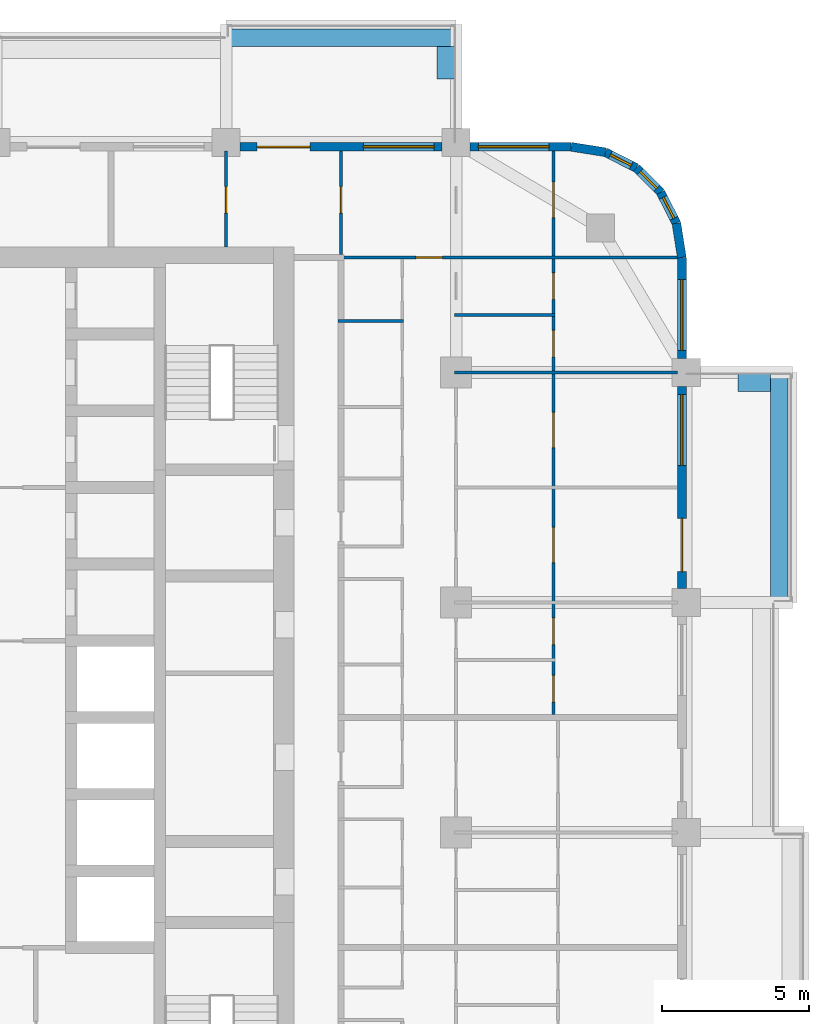
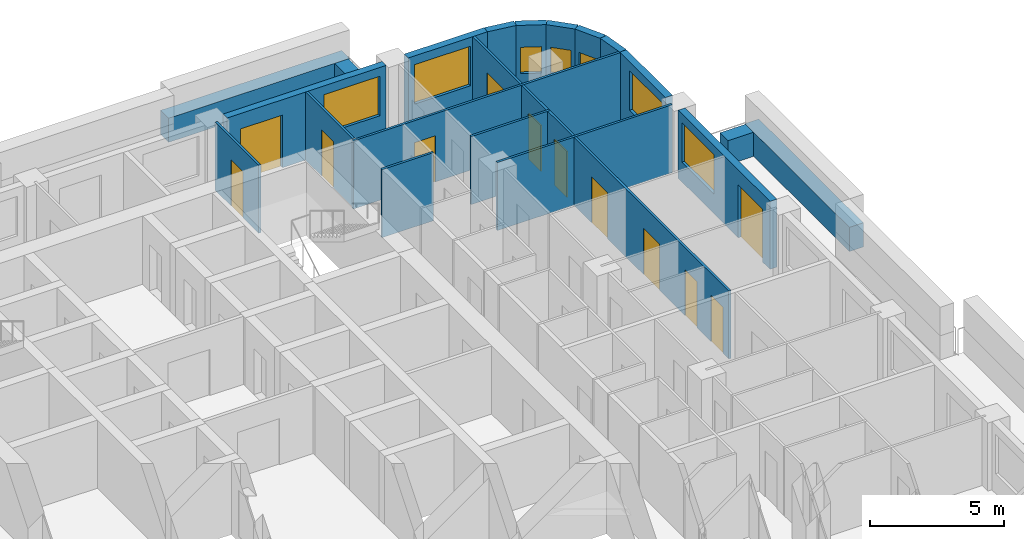
# One storey, part 13 of 17: 20 walls, 12 doors, 7 windows, 19 openings.
"""IFC4 building model written with IfcOpenShell, lengths in metres."""

from ifc_helpers import new_model, si_unit, direction, frame, frame_2d, origin, place, context, subcontext, project, spatial, rectangle, extrude, material, layer, layer_set, type_object, element, fill, save


model = new_model("IFC4")

# Units and contexts
model_context = context("Model", 3, precision=1e-05, world=origin(), true_north=direction((0.0, 1.0)))
body_context = subcontext(model_context, "Body", "Model", "MODEL_VIEW")
ifc_project = project(units=[si_unit("LENGTHUNIT", "METRE"), si_unit("AREAUNIT", "SQUARE_METRE"), si_unit("VOLUMEUNIT", "CUBIC_METRE"), si_unit("PLANEANGLEUNIT", "RADIAN"), si_unit("MASSUNIT", "GRAM", prefix="KILO")], contexts=[model_context])

# Site, building, storey
site_placement = place(None, origin())
site = spatial("IfcSite", under=ifc_project, at=site_placement, CompositionType="ELEMENT")
building_placement = place(site_placement, origin())
building = spatial("IfcBuilding", under=site, at=building_placement, Name="Ludao Terraces", CompositionType="ELEMENT")
storey_placement = place(building_placement, frame((0.0, 0.0, 92.0)))
storey = spatial("IfcBuildingStorey", under=building, at=storey_placement, Name="L25", CompositionType="ELEMENT", Elevation=92.0)

# Walls
ifc_material_1 = material(Name="Concrete C40", Category="concrete")
ifc_layer_1 = layer(ifc_material_1, 0.60009765625)
ifc_layer_set_1 = layer_set([ifc_layer_1], Name="ENV Planter trough 600")
wall_type_1 = type_object("IfcWallType", Name="ENV Planter trough 600", PredefinedType="USERDEFINED", material=ifc_layer_set_1)
wall_1_placement = place(storey_placement, frame((111.550048828125, 72.800048828125, 0.0), z_axis=(0.0, 0.0, 1.0), x_axis=(0.0, 1.0, 0.0)))
element("IfcWall", 1, at=wall_1_placement, inside=storey, type_object=wall_type_1, Name="PL-L25-E4", ObjectType="PLANTER", PredefinedType="USERDEFINED", context=body_context, shape_type="SweptSolid", body=[
    extrude(rectangle(XDim=7.800048828125, YDim=0.60009765625, at=frame_2d((3.89990234375, 0.0))), origin(), (0.0, 0.0, 1.0), 1.10009765625),
])
wall_2_placement = place(storey_placement, frame((111.25, 80.25, 0.0), z_axis=(0.0, 0.0, 1.0), x_axis=(-1.0, 0.0, 0.0)))
element("IfcWall", 2, at=wall_2_placement, inside=storey, type_object=wall_type_1, Name="PL-L25-E4-SB", ObjectType="PLANTER", PredefinedType="USERDEFINED", context=body_context, shape_type="SweptSolid", body=[
    extrude(rectangle(XDim=1.10009765625, YDim=0.60009765625, at=frame_2d((0.550048828125, 0.0))), origin(), (0.0, 0.0, 1.0), 1.10009765625),
])
wall_3_placement = place(storey_placement, frame((92.800048828125, 91.949951171875, 0.0), z_axis=(0.0, 0.0, 1.0), x_axis=(1.0, 0.0, 0.0)))
element("IfcWall", 3, at=wall_3_placement, inside=storey, type_object=wall_type_1, Name="PL-L25-N4", ObjectType="PLANTER", PredefinedType="USERDEFINED", context=body_context, shape_type="SweptSolid", body=[
    extrude(rectangle(XDim=7.800048828125, YDim=0.60009765625, at=frame_2d((3.89990234375, 0.0))), origin(), (0.0, 0.0, 1.0), 1.10009765625),
])
wall_4_placement = place(storey_placement, frame((100.25, 91.64990234375, 0.0), z_axis=(0.0, 0.0, 1.0), x_axis=(0.0, -1.0, 0.0)))
element("IfcWall", 4, at=wall_4_placement, inside=storey, type_object=wall_type_1, Name="PL-L25-N4-SB", ObjectType="PLANTER", PredefinedType="USERDEFINED", context=body_context, shape_type="SweptSolid", body=[
    extrude(rectangle(XDim=1.099853515625, YDim=0.60009765625, at=frame_2d((0.5498046875, 0.0))), origin(), (0.0, 0.0, 1.0), 1.10009765625),
])

# Wall, openings, door, window
ifc_material_2 = material(Name="Granite cladding", Category="masonry")
ifc_layer_2 = layer(ifc_material_2, 0.0400390625, Category="stone")
ifc_material_3 = material(Name="Mineral wool")
ifc_layer_3 = layer(ifc_material_3, 0.06005859375)
ifc_layer_4 = layer(ifc_material_1, 0.199951171875, Category="concrete")
ifc_layer_set_2 = layer_set([ifc_layer_2, ifc_layer_3, ifc_layer_4], Name="ENV Stone-clad wall 300")
wall_type_2 = type_object("IfcWallType", Name="ENV Stone-clad wall 300", PredefinedType="SOLIDWALL", material=ifc_layer_set_2)
wall_5_placement = place(storey_placement, frame((108.25, 73.27490234375, 0.0), z_axis=(0.0, 0.0, 1.0), x_axis=(0.0, 1.0, 0.0)))
wall_5 = element("IfcWall", 5, at=wall_5_placement, inside=storey, type_object=wall_type_2, Name="EW-L25-E5", PredefinedType="SOLIDWALL", context=body_context, shape_type="SweptSolid", body=[
    extrude(rectangle(XDim=6.85009765625, YDim=0.300048828125, at=frame_2d((3.425048828125, 0.0))), origin(), (0.0, 0.0, 1.0), 3.10009765625),
])
opening_1_placement = place(wall_5_placement, frame((0.574951171875, 0.0, 0.0)))
opening_1 = element("IfcOpeningElement", 6, at=opening_1_placement, cuts=wall_5, Name="Opening BD", PredefinedType="OPENING", context=body_context, shape_type="SweptSolid", body=[
    extrude(rectangle(XDim=1.800048828125, YDim=2.39990234375, at=frame_2d((0.89990234375, 1.199951171875))), frame((0.0, 0.16015625, 0.0), z_axis=(0.0, -1.0, 0.0), x_axis=(1.0, 0.0, 0.0)), (0.0, 0.0, 1.0), 0.320068359375),
])
opening_2_placement = place(wall_5_placement, frame((4.175048828125, 0.0, 0.89990234375)))
opening_2 = element("IfcOpeningElement", 7, at=opening_2_placement, cuts=wall_5, Name="Opening W1", PredefinedType="OPENING", context=body_context, shape_type="SweptSolid", body=[
    extrude(rectangle(XDim=2.39990234375, YDim=1.800048828125, at=frame_2d((1.199951171875, 0.89990234375))), frame((0.0, 0.16015625, 0.0), z_axis=(0.0, -1.0, 0.0), x_axis=(1.0, 0.0, 0.0)), (0.0, 0.0, 1.0), 0.320068359375),
])
ifc_material_4 = material(Name="Aluminium glazed door", Category="aluminium")
ifc_layer_5 = layer(ifc_material_4, 0.06005859375)
ifc_layer_set_3 = layer_set([ifc_layer_5], Name="ENV Balcony door BD 1800x2400")
door_type_1 = type_object("IfcDoorType", Name="ENV Balcony door BD 1800x2400", OperationType="DOUBLE_DOOR_SINGLE_SWING", PredefinedType="DOOR", material=ifc_layer_set_3)
door_1_placement = place(opening_1_placement, origin())
door_1 = element("IfcDoor", 8, at=door_1_placement, inside=storey, type_object=door_type_1, Name="BD-L25-E5-1", OperationType="DOUBLE_DOOR_SINGLE_SWING", OverallHeight=2.39990234375, OverallWidth=1.800048828125, PredefinedType="DOOR", context=body_context, shape_type="SweptSolid", body=[
    extrude(rectangle(XDim=1.800048828125, YDim=2.39990234375, at=frame_2d((0.89990234375, 1.199951171875))), frame((0.0, 0.02490234375, 0.0), z_axis=(0.0, -1.0, 0.0), x_axis=(1.0, 0.0, 0.0)), (0.0, 0.0, 1.0), 0.050048828125),
])
fill(opening_1, door_1)
ifc_material_5 = material(Name="Clear glass in aluminium frame", Category="aluminium")
ifc_layer_6 = layer(ifc_material_5, 0.06005859375)
ifc_layer_set_4 = layer_set([ifc_layer_6], Name="ENV Window W1 2400x1800")
window_type_1 = type_object("IfcWindowType", Name="ENV Window W1 2400x1800", PartitioningType="DOUBLE_PANEL_VERTICAL", PredefinedType="WINDOW", material=ifc_layer_set_4)
window_1_placement = place(opening_2_placement, origin())
window_1 = element("IfcWindow", 9, at=window_1_placement, inside=storey, type_object=window_type_1, Name="W-L25-E5-2", OverallHeight=1.800048828125, OverallWidth=2.39990234375, PartitioningType="DOUBLE_PANEL_VERTICAL", PredefinedType="WINDOW", context=body_context, shape_type="SweptSolid", body=[
    extrude(rectangle(XDim=2.39990234375, YDim=1.800048828125, at=frame_2d((1.199951171875, 0.89990234375))), frame((0.0, 0.030029296875, 0.0), z_axis=(0.0, -1.0, 0.0), x_axis=(1.0, 0.0, 0.0)), (0.0, 0.0, 1.0), 0.06005859375),
])
fill(opening_2, window_1)

# Wall, opening, window
wall_6_placement = place(storey_placement, frame((108.25, 81.074951171875, 0.0), z_axis=(0.0, 0.0, 1.0), x_axis=(0.0, 1.0, 0.0)))
wall_6 = element("IfcWall", 10, at=wall_6_placement, inside=storey, type_object=wall_type_2, Name="EW-L25-E6", PredefinedType="SOLIDWALL", context=body_context, shape_type="SweptSolid", body=[
    extrude(rectangle(XDim=3.425048828125, YDim=0.300048828125, at=frame_2d((1.71240234375, 0.0))), origin(), (0.0, 0.0, 1.0), 3.10009765625),
])
opening_3_placement = place(wall_6_placement, frame((0.27490234375, 0.0, 0.89990234375)))
opening_3 = element("IfcOpeningElement", 11, at=opening_3_placement, cuts=wall_6, Name="Opening W1", PredefinedType="OPENING", context=body_context, shape_type="SweptSolid", body=[
    extrude(rectangle(XDim=2.39990234375, YDim=1.800048828125, at=frame_2d((1.199951171875, 0.89990234375))), frame((0.0, 0.16015625, 0.0), z_axis=(0.0, -1.0, 0.0), x_axis=(1.0, 0.0, 0.0)), (0.0, 0.0, 1.0), 0.320068359375),
])
window_2_placement = place(opening_3_placement, origin())
window_2 = element("IfcWindow", 12, at=window_2_placement, inside=storey, type_object=window_type_1, Name="W-L25-E6-1", OverallHeight=1.800048828125, OverallWidth=2.39990234375, PartitioningType="DOUBLE_PANEL_VERTICAL", PredefinedType="WINDOW", context=body_context, shape_type="SweptSolid", body=[
    extrude(rectangle(XDim=2.39990234375, YDim=1.800048828125, at=frame_2d((1.199951171875, 0.89990234375))), frame((0.0, 0.030029296875, 0.0), z_axis=(0.0, -1.0, 0.0), x_axis=(1.0, 0.0, 0.0)), (0.0, 0.0, 1.0), 0.06005859375),
])
fill(opening_3, window_2)

# Wall, openings, door, window
wall_7_placement = place(storey_placement, frame((93.27490234375, 88.25, 0.0), z_axis=(0.0, 0.0, 1.0), x_axis=(1.0, 0.0, 0.0)))
wall_7 = element("IfcWall", 13, at=wall_7_placement, inside=storey, type_object=wall_type_2, Name="EW-L25-N5", PredefinedType="SOLIDWALL", context=body_context, shape_type="SweptSolid", body=[
    extrude(rectangle(XDim=6.85009765625, YDim=0.300048828125, at=frame_2d((3.425048828125, 0.0))), origin(), (0.0, 0.0, 1.0), 3.10009765625),
])
opening_4_placement = place(wall_7_placement, frame((0.574951171875, 0.0, 0.0)))
opening_4 = element("IfcOpeningElement", 14, at=opening_4_placement, cuts=wall_7, Name="Opening BD", PredefinedType="OPENING", context=body_context, shape_type="SweptSolid", body=[
    extrude(rectangle(XDim=1.800048828125, YDim=2.39990234375, at=frame_2d((0.89990234375, 1.199951171875))), frame((0.0, 0.16015625, 0.0), z_axis=(0.0, -1.0, 0.0), x_axis=(1.0, 0.0, 0.0)), (0.0, 0.0, 1.0), 0.320068359375),
])
opening_5_placement = place(wall_7_placement, frame((4.175048828125, 0.0, 0.89990234375)))
opening_5 = element("IfcOpeningElement", 15, at=opening_5_placement, cuts=wall_7, Name="Opening W1", PredefinedType="OPENING", context=body_context, shape_type="SweptSolid", body=[
    extrude(rectangle(XDim=2.39990234375, YDim=1.800048828125, at=frame_2d((1.199951171875, 0.89990234375))), frame((0.0, 0.16015625, 0.0), z_axis=(0.0, -1.0, 0.0), x_axis=(1.0, 0.0, 0.0)), (0.0, 0.0, 1.0), 0.320068359375),
])
door_2_placement = place(opening_4_placement, origin())
door_2 = element("IfcDoor", 16, at=door_2_placement, inside=storey, type_object=door_type_1, Name="BD-L25-N5-1", OperationType="DOUBLE_DOOR_SINGLE_SWING", OverallHeight=2.39990234375, OverallWidth=1.800048828125, PredefinedType="DOOR", context=body_context, shape_type="SweptSolid", body=[
    extrude(rectangle(XDim=1.800048828125, YDim=2.39990234375, at=frame_2d((0.89990234375, 1.199951171875))), frame((0.0, 0.02490234375, 0.0), z_axis=(0.0, -1.0, 0.0), x_axis=(1.0, 0.0, 0.0)), (0.0, 0.0, 1.0), 0.050048828125),
])
fill(opening_4, door_2)
window_3_placement = place(opening_5_placement, origin())
window_3 = element("IfcWindow", 17, at=window_3_placement, inside=storey, type_object=window_type_1, Name="W-L25-N5-2", OverallHeight=1.800048828125, OverallWidth=2.39990234375, PartitioningType="DOUBLE_PANEL_VERTICAL", PredefinedType="WINDOW", context=body_context, shape_type="SweptSolid", body=[
    extrude(rectangle(XDim=2.39990234375, YDim=1.800048828125, at=frame_2d((1.199951171875, 0.89990234375))), frame((0.0, 0.030029296875, 0.0), z_axis=(0.0, -1.0, 0.0), x_axis=(1.0, 0.0, 0.0)), (0.0, 0.0, 1.0), 0.06005859375),
])
fill(opening_5, window_3)

# Wall, opening, window
wall_8_placement = place(storey_placement, frame((101.074951171875, 88.25, 0.0), z_axis=(0.0, 0.0, 1.0), x_axis=(1.0, 0.0, 0.0)))
wall_8 = element("IfcWall", 18, at=wall_8_placement, inside=storey, type_object=wall_type_2, Name="EW-L25-N6", PredefinedType="SOLIDWALL", context=body_context, shape_type="SweptSolid", body=[
    extrude(rectangle(XDim=3.425048828125, YDim=0.300048828125, at=frame_2d((1.71240234375, 0.0))), origin(), (0.0, 0.0, 1.0), 3.10009765625),
])
opening_6_placement = place(wall_8_placement, frame((0.27490234375, 0.0, 0.89990234375)))
opening_6 = element("IfcOpeningElement", 19, at=opening_6_placement, cuts=wall_8, Name="Opening W1", PredefinedType="OPENING", context=body_context, shape_type="SweptSolid", body=[
    extrude(rectangle(XDim=2.39990234375, YDim=1.800048828125, at=frame_2d((1.199951171875, 0.89990234375))), frame((0.0, 0.16015625, 0.0), z_axis=(0.0, -1.0, 0.0), x_axis=(1.0, 0.0, 0.0)), (0.0, 0.0, 1.0), 0.320068359375),
])
window_4_placement = place(opening_6_placement, origin())
window_4 = element("IfcWindow", 20, at=window_4_placement, inside=storey, type_object=window_type_1, Name="W-L25-N6-1", OverallHeight=1.800048828125, OverallWidth=2.39990234375, PartitioningType="DOUBLE_PANEL_VERTICAL", PredefinedType="WINDOW", context=body_context, shape_type="SweptSolid", body=[
    extrude(rectangle(XDim=2.39990234375, YDim=1.800048828125, at=frame_2d((1.199951171875, 0.89990234375))), frame((0.0, 0.030029296875, 0.0), z_axis=(0.0, -1.0, 0.0), x_axis=(1.0, 0.0, 0.0)), (0.0, 0.0, 1.0), 0.06005859375),
])
fill(opening_6, window_4)

# Wall
wall_9_placement = place(storey_placement, frame((108.25, 84.5, 0.0), z_axis=(0.0, 0.0, 1.0), x_axis=(-0.156496880861, 0.987678452879, 0.0)))
element("IfcWall", 21, at=wall_9_placement, inside=storey, type_object=wall_type_2, Name="EW-L25-NE1", PredefinedType="SOLIDWALL", context=body_context, shape_type="SweptSolid", body=[
    extrude(rectangle(XDim=1.173095703125, YDim=0.300048828125, at=frame_2d((0.58642578125, 0.0))), origin(), (0.0, 0.0, 1.0), 3.10009765625),
])

# Wall, opening, window
wall_10_placement = place(storey_placement, frame((108.06640625, 85.65869140625, 0.0), z_axis=(0.0, 0.0, 1.0), x_axis=(-0.454025524128, 0.890988677504, 0.0)))
wall_10 = element("IfcWall", 22, at=wall_10_placement, inside=storey, type_object=wall_type_2, Name="EW-L25-NE2", PredefinedType="SOLIDWALL", context=body_context, shape_type="SweptSolid", body=[
    extrude(rectangle(XDim=1.17333984375, YDim=0.300048828125, at=frame_2d((0.586669921875, 0.0))), origin(), (0.0, 0.0, 1.0), 3.10009765625),
])
opening_7_placement = place(wall_10_placement, frame((0.1865234375, 0.0, 0.89990234375)))
opening_7 = element("IfcOpeningElement", 23, at=opening_7_placement, cuts=wall_10, Name="Opening W3", PredefinedType="OPENING", context=body_context, shape_type="SweptSolid", body=[
    extrude(rectangle(XDim=0.800048828125, YDim=1.199951171875, at=frame_2d((0.39990234375, 0.60009765625))), frame((0.0, 0.16015625, 0.0), z_axis=(0.0, -1.0, 0.0), x_axis=(1.0, 0.0, 0.0)), (0.0, 0.0, 1.0), 0.320068359375),
])
ifc_layer_7 = layer(ifc_material_5, 0.06005859375)
ifc_layer_set_5 = layer_set([ifc_layer_7], Name="ENV Window W3 800x1200")
window_type_2 = type_object("IfcWindowType", Name="ENV Window W3 800x1200", PartitioningType="SINGLE_PANEL", PredefinedType="WINDOW", material=ifc_layer_set_5)
window_5_placement = place(opening_7_placement, origin())
window_5 = element("IfcWindow", 24, at=window_5_placement, inside=storey, type_object=window_type_2, Name="W-L25-NE2", OverallHeight=1.199951171875, OverallWidth=0.800048828125, PartitioningType="SINGLE_PANEL", PredefinedType="WINDOW", context=body_context, shape_type="SweptSolid", body=[
    extrude(rectangle(XDim=0.800048828125, YDim=1.199951171875, at=frame_2d((0.39990234375, 0.60009765625))), frame((0.0, 0.030029296875, 0.0), z_axis=(0.0, -1.0, 0.0), x_axis=(1.0, 0.0, 0.0)), (0.0, 0.0, 1.0), 0.06005859375),
])
fill(opening_7, window_5)

wall_11_placement = place(storey_placement, frame((107.53369140625, 86.7041015625, 0.0), z_axis=(0.0, 0.0, 1.0), x_axis=(-0.707106781187, 0.707106781187, 0.0)))
wall_11 = element("IfcWall", 25, at=wall_11_placement, inside=storey, type_object=wall_type_2, Name="EW-L25-NE3", PredefinedType="SOLIDWALL", context=body_context, shape_type="SweptSolid", body=[
    extrude(rectangle(XDim=1.173095703125, YDim=0.300048828125, at=frame_2d((0.58642578125, 0.0))), origin(), (0.0, 0.0, 1.0), 3.10009765625),
])
opening_8_placement = place(wall_11_placement, frame((0.1865234375, 0.0, 0.89990234375)))
opening_8 = element("IfcOpeningElement", 26, at=opening_8_placement, cuts=wall_11, Name="Opening W3", PredefinedType="OPENING", context=body_context, shape_type="SweptSolid", body=[
    extrude(rectangle(XDim=0.800048828125, YDim=1.199951171875, at=frame_2d((0.39990234375, 0.60009765625))), frame((0.0, 0.16015625, 0.0), z_axis=(0.0, -1.0, 0.0), x_axis=(1.0, 0.0, 0.0)), (0.0, 0.0, 1.0), 0.320068359375),
])
window_6_placement = place(opening_8_placement, origin())
window_6 = element("IfcWindow", 27, at=window_6_placement, inside=storey, type_object=window_type_2, Name="W-L25-NE3", OverallHeight=1.199951171875, OverallWidth=0.800048828125, PartitioningType="SINGLE_PANEL", PredefinedType="WINDOW", context=body_context, shape_type="SweptSolid", body=[
    extrude(rectangle(XDim=0.800048828125, YDim=1.199951171875, at=frame_2d((0.39990234375, 0.60009765625))), frame((0.0, 0.030029296875, 0.0), z_axis=(0.0, -1.0, 0.0), x_axis=(1.0, 0.0, 0.0)), (0.0, 0.0, 1.0), 0.06005859375),
])
fill(opening_8, window_6)

wall_12_placement = place(storey_placement, frame((106.7041015625, 87.53369140625, 0.0), z_axis=(0.0, 0.0, 1.0), x_axis=(-0.890988677504, 0.454025524128, 0.0)))
wall_12 = element("IfcWall", 28, at=wall_12_placement, inside=storey, type_object=wall_type_2, Name="EW-L25-NE4", PredefinedType="SOLIDWALL", context=body_context, shape_type="SweptSolid", body=[
    extrude(rectangle(XDim=1.17333984375, YDim=0.300048828125, at=frame_2d((0.586669921875, 0.0))), origin(), (0.0, 0.0, 1.0), 3.10009765625),
])
opening_9_placement = place(wall_12_placement, frame((0.1865234375, 0.0, 0.89990234375)))
opening_9 = element("IfcOpeningElement", 29, at=opening_9_placement, cuts=wall_12, Name="Opening W3", PredefinedType="OPENING", context=body_context, shape_type="SweptSolid", body=[
    extrude(rectangle(XDim=0.800048828125, YDim=1.199951171875, at=frame_2d((0.39990234375, 0.60009765625))), frame((0.0, 0.16015625, 0.0), z_axis=(0.0, -1.0, 0.0), x_axis=(1.0, 0.0, 0.0)), (0.0, 0.0, 1.0), 0.320068359375),
])
window_7_placement = place(opening_9_placement, origin())
window_7 = element("IfcWindow", 30, at=window_7_placement, inside=storey, type_object=window_type_2, Name="W-L25-NE4", OverallHeight=1.199951171875, OverallWidth=0.800048828125, PartitioningType="SINGLE_PANEL", PredefinedType="WINDOW", context=body_context, shape_type="SweptSolid", body=[
    extrude(rectangle(XDim=0.800048828125, YDim=1.199951171875, at=frame_2d((0.39990234375, 0.60009765625))), frame((0.0, 0.030029296875, 0.0), z_axis=(0.0, -1.0, 0.0), x_axis=(1.0, 0.0, 0.0)), (0.0, 0.0, 1.0), 0.06005859375),
])
fill(opening_9, window_7)

# Walls
wall_13_placement = place(storey_placement, frame((105.65869140625, 88.06640625, 0.0), z_axis=(0.0, 0.0, 1.0), x_axis=(-0.987678452879, 0.156496880861, 0.0)))
element("IfcWall", 31, at=wall_13_placement, inside=storey, type_object=wall_type_2, Name="EW-L25-NE5", PredefinedType="SOLIDWALL", context=body_context, shape_type="SweptSolid", body=[
    extrude(rectangle(XDim=1.173095703125, YDim=0.300048828125, at=frame_2d((0.58642578125, 0.0))), origin(), (0.0, 0.0, 1.0), 3.10009765625),
])
ifc_material_6 = material(Name="Gypsum plasterboard", Category="gypsum")
ifc_layer_8 = layer(ifc_material_6, 0.012451171875, Category="gypsum")
ifc_layer_9 = layer(ifc_material_3, 0.06005859375, Name="insulation")
ifc_material_7 = material(Name="Steel Q235", Category="steel")
ifc_layer_10 = layer(ifc_material_7, 0.014892578125, Name="stud")
ifc_layer_11 = layer(ifc_material_6, 0.012451171875, Category="gypsum")
ifc_layer_set_6 = layer_set([ifc_layer_8, ifc_layer_9, ifc_layer_10, ifc_layer_11], Name="INT Partition 100")
wall_type_3 = type_object("IfcWallType", Name="INT Partition 100", PredefinedType="PARTITIONING", material=ifc_layer_set_6)
wall_14_placement = place(storey_placement, frame((100.550048828125, 80.60009765625, 0.0), z_axis=(0.0, 0.0, 1.0), x_axis=(1.0, 0.0, 0.0)))
element("IfcWall", 32, at=wall_14_placement, inside=storey, type_object=wall_type_3, Name="PW-L25-PW070", PredefinedType="PARTITIONING", context=body_context, shape_type="SweptSolid", body=[
    extrude(rectangle(XDim=7.550048828125, YDim=0.10009765625, at=frame_2d((3.77490234375, 0.0))), origin(), (0.0, 0.0, 1.0), 3.10009765625),
])
wall_15_placement = place(storey_placement, frame((96.60009765625, 82.35009765625, 0.0), z_axis=(0.0, 0.0, 1.0), x_axis=(1.0, 0.0, 0.0)))
element("IfcWall", 33, at=wall_15_placement, inside=storey, type_object=wall_type_3, Name="PW-L25-PW072", PredefinedType="PARTITIONING", context=body_context, shape_type="SweptSolid", body=[
    extrude(rectangle(XDim=2.219970703125, YDim=0.10009765625, at=frame_2d((1.10986328125, 0.0))), origin(), (0.0, 0.0, 1.0), 3.10009765625),
])
wall_16_placement = place(storey_placement, frame((100.550048828125, 82.550048828125, 0.0), z_axis=(0.0, 0.0, 1.0), x_axis=(1.0, 0.0, 0.0)))
element("IfcWall", 34, at=wall_16_placement, inside=storey, type_object=wall_type_3, Name="PW-L25-PW073", PredefinedType="PARTITIONING", context=body_context, shape_type="SweptSolid", body=[
    extrude(rectangle(XDim=3.400146484375, YDim=0.10009765625, at=frame_2d((1.7001953125, 0.0))), origin(), (0.0, 0.0, 1.0), 3.10009765625),
])

# Wall, opening, door
wall_17_placement = place(storey_placement, frame((96.60009765625, 84.5, 0.0), z_axis=(0.0, 0.0, 1.0), x_axis=(1.0, 0.0, 0.0)))
wall_17 = element("IfcWall", 35, at=wall_17_placement, inside=storey, type_object=wall_type_3, Name="PW-L25-PW078", PredefinedType="PARTITIONING", context=body_context, shape_type="SweptSolid", body=[
    extrude(rectangle(XDim=11.5, YDim=0.10009765625, at=frame_2d((5.75, 0.0))), origin(), (0.0, 0.0, 1.0), 3.10009765625),
])
opening_10_placement = place(wall_17_placement, frame((2.635009765625, 0.0, 0.0)))
opening_10 = element("IfcOpeningElement", 36, at=opening_10_placement, cuts=wall_17, Name="Opening R07-154", PredefinedType="OPENING", context=body_context, shape_type="SweptSolid", body=[
    extrude(rectangle(XDim=0.89990234375, YDim=2.10009765625, at=frame_2d((0.449951171875, 1.050048828125))), frame((0.0, 0.06005859375, 0.0), z_axis=(0.0, -1.0, 0.0), x_axis=(1.0, 0.0, 0.0)), (0.0, 0.0, 1.0), 0.1201171875),
])
ifc_material_8 = material(Name="Timber door leaf", Category="wood")
door_type_2 = type_object("IfcDoorType", Name="INT Room door 900", OperationType="SINGLE_SWING_LEFT", PredefinedType="DOOR", material=ifc_material_8)
door_3_placement = place(opening_10_placement, origin())
door_3 = element("IfcDoor", 37, at=door_3_placement, inside=storey, type_object=door_type_2, Name="DOOR 154", OperationType="SINGLE_SWING_RIGHT", OverallHeight=2.10009765625, OverallWidth=0.89990234375, PredefinedType="DOOR", context=body_context, shape_type="SweptSolid", body=[
    extrude(rectangle(XDim=0.89990234375, YDim=2.10009765625, at=frame_2d((0.449951171875, 1.050048828125))), frame((0.0, 0.02490234375, 0.0), z_axis=(0.0, -1.0, 0.0), x_axis=(1.0, 0.0, 0.0)), (0.0, 0.0, 1.0), 0.050048828125),
])
fill(opening_10, door_3)

wall_18_placement = place(storey_placement, frame((92.800048828125, 84.85009765625, 0.0), z_axis=(0.0, 0.0, 1.0), x_axis=(0.0, 1.0, 0.0)))
wall_18 = element("IfcWall", 38, at=wall_18_placement, inside=storey, type_object=wall_type_3, Name="PW-L25-PW111", PredefinedType="PARTITIONING", context=body_context, shape_type="SweptSolid", body=[
    extrude(rectangle(XDim=3.25, YDim=0.10009765625, at=frame_2d((1.625, 0.0))), origin(), (0.0, 0.0, 1.0), 3.10009765625),
])
opening_11_placement = place(wall_18_placement, frame((1.14990234375, 0.0, 0.0)))
opening_11 = element("IfcOpeningElement", 39, at=opening_11_placement, cuts=wall_18, Name="Opening R07-161", PredefinedType="OPENING", context=body_context, shape_type="SweptSolid", body=[
    extrude(rectangle(XDim=0.89990234375, YDim=2.10009765625, at=frame_2d((0.449951171875, 1.050048828125))), frame((0.0, 0.06005859375, 0.0), z_axis=(0.0, -1.0, 0.0), x_axis=(1.0, 0.0, 0.0)), (0.0, 0.0, 1.0), 0.1201171875),
])
door_4_placement = place(opening_11_placement, origin())
door_4 = element("IfcDoor", 40, at=door_4_placement, inside=storey, type_object=door_type_2, Name="DOOR 161", OperationType="SINGLE_SWING_LEFT", OverallHeight=2.10009765625, OverallWidth=0.89990234375, PredefinedType="DOOR", context=body_context, shape_type="SweptSolid", body=[
    extrude(rectangle(XDim=0.89990234375, YDim=2.10009765625, at=frame_2d((0.449951171875, 1.050048828125))), frame((0.0, 0.02490234375, 0.0), z_axis=(0.0, -1.0, 0.0), x_axis=(1.0, 0.0, 0.0)), (0.0, 0.0, 1.0), 0.050048828125),
])
fill(opening_11, door_4)

wall_19_placement = place(storey_placement, frame((96.699951171875, 84.60009765625, 0.0), z_axis=(0.0, 0.0, 1.0), x_axis=(0.0, 1.0, 0.0)))
wall_19 = element("IfcWall", 41, at=wall_19_placement, inside=storey, type_object=wall_type_3, Name="PW-L25-PW116", PredefinedType="PARTITIONING", context=body_context, shape_type="SweptSolid", body=[
    extrude(rectangle(XDim=3.5, YDim=0.10009765625, at=frame_2d((1.75, 0.0))), origin(), (0.0, 0.0, 1.0), 3.10009765625),
])
opening_12_placement = place(wall_19_placement, frame((1.39990234375, 0.0, 0.0)))
opening_12 = element("IfcOpeningElement", 42, at=opening_12_placement, cuts=wall_19, Name="Opening R07-162", PredefinedType="OPENING", context=body_context, shape_type="SweptSolid", body=[
    extrude(rectangle(XDim=0.89990234375, YDim=2.10009765625, at=frame_2d((0.449951171875, 1.050048828125))), frame((0.0, 0.06005859375, 0.0), z_axis=(0.0, -1.0, 0.0), x_axis=(1.0, 0.0, 0.0)), (0.0, 0.0, 1.0), 0.1201171875),
])
door_5_placement = place(opening_12_placement, origin())
door_5 = element("IfcDoor", 43, at=door_5_placement, inside=storey, type_object=door_type_2, Name="DOOR 162", OperationType="SINGLE_SWING_RIGHT", OverallHeight=2.10009765625, OverallWidth=0.89990234375, PredefinedType="DOOR", context=body_context, shape_type="SweptSolid", body=[
    extrude(rectangle(XDim=0.89990234375, YDim=2.10009765625, at=frame_2d((0.449951171875, 1.050048828125))), frame((0.0, 0.02490234375, 0.0), z_axis=(0.0, -1.0, 0.0), x_axis=(1.0, 0.0, 0.0)), (0.0, 0.0, 1.0), 0.050048828125),
])
fill(opening_12, door_5)

# Wall, openings, doors
wall_20_placement = place(storey_placement, frame((103.89990234375, 69.0, 0.0), z_axis=(0.0, 0.0, 1.0), x_axis=(0.0, 1.0, 0.0)))
wall_20 = element("IfcWall", 44, at=wall_20_placement, inside=storey, type_object=wall_type_3, Name="PW-L25-PW122", PredefinedType="PARTITIONING", context=body_context, shape_type="SweptSolid", body=[
    extrude(rectangle(XDim=19.10009765625, YDim=0.10009765625, at=frame_2d((9.550048828125, 0.0))), origin(), (0.0, 0.0, 1.0), 3.10009765625),
])
opening_13_placement = place(wall_20_placement, frame((0.425048828125, 0.0, 0.0)))
opening_13 = element("IfcOpeningElement", 45, at=opening_13_placement, cuts=wall_20, Name="Opening R07-099", PredefinedType="OPENING", context=body_context, shape_type="SweptSolid", body=[
    extrude(rectangle(XDim=0.89990234375, YDim=2.10009765625, at=frame_2d((0.449951171875, 1.050048828125))), frame((0.0, 0.06005859375, 0.0), z_axis=(0.0, -1.0, 0.0), x_axis=(1.0, 0.0, 0.0)), (0.0, 0.0, 1.0), 0.1201171875),
])
opening_14_placement = place(wall_20_placement, frame((2.375, 0.0, 0.0)))
opening_14 = element("IfcOpeningElement", 46, at=opening_14_placement, cuts=wall_20, Name="Opening R07-107", PredefinedType="OPENING", context=body_context, shape_type="SweptSolid", body=[
    extrude(rectangle(XDim=0.89990234375, YDim=2.10009765625, at=frame_2d((0.449951171875, 1.050048828125))), frame((0.0, 0.06005859375, 0.0), z_axis=(0.0, -1.0, 0.0), x_axis=(1.0, 0.0, 0.0)), (0.0, 0.0, 1.0), 0.1201171875),
])
opening_15_placement = place(wall_20_placement, frame((5.150146484375, 0.0, 0.0)))
opening_15 = element("IfcOpeningElement", 47, at=opening_15_placement, cuts=wall_20, Name="Opening R07-115", PredefinedType="OPENING", context=body_context, shape_type="SweptSolid", body=[
    extrude(rectangle(XDim=1.199951171875, YDim=2.10009765625, at=frame_2d((0.60009765625, 1.050048828125))), frame((0.0, 0.06005859375, 0.0), z_axis=(0.0, -1.0, 0.0), x_axis=(1.0, 0.0, 0.0)), (0.0, 0.0, 1.0), 0.1201171875),
])
opening_16_placement = place(wall_20_placement, frame((9.050048828125, 0.0, 0.0)))
opening_16 = element("IfcOpeningElement", 48, at=opening_16_placement, cuts=wall_20, Name="Opening R07-135", PredefinedType="OPENING", context=body_context, shape_type="SweptSolid", body=[
    extrude(rectangle(XDim=1.199951171875, YDim=2.10009765625, at=frame_2d((0.60009765625, 1.050048828125))), frame((0.0, 0.06005859375, 0.0), z_axis=(0.0, -1.0, 0.0), x_axis=(1.0, 0.0, 0.0)), (0.0, 0.0, 1.0), 0.1201171875),
])
opening_17_placement = place(wall_20_placement, frame((12.125, 0.0, 0.0)))
opening_17 = element("IfcOpeningElement", 49, at=opening_17_placement, cuts=wall_20, Name="Opening R07-144", PredefinedType="OPENING", context=body_context, shape_type="SweptSolid", body=[
    extrude(rectangle(XDim=0.89990234375, YDim=2.10009765625, at=frame_2d((0.449951171875, 1.050048828125))), frame((0.0, 0.06005859375, 0.0), z_axis=(0.0, -1.0, 0.0), x_axis=(1.0, 0.0, 0.0)), (0.0, 0.0, 1.0), 0.1201171875),
])
opening_18_placement = place(wall_20_placement, frame((14.0751953125, 0.0, 0.0)))
opening_18 = element("IfcOpeningElement", 50, at=opening_18_placement, cuts=wall_20, Name="Opening R07-151", PredefinedType="OPENING", context=body_context, shape_type="SweptSolid", body=[
    extrude(rectangle(XDim=0.89990234375, YDim=2.10009765625, at=frame_2d((0.449951171875, 1.050048828125))), frame((0.0, 0.06005859375, 0.0), z_axis=(0.0, -1.0, 0.0), x_axis=(1.0, 0.0, 0.0)), (0.0, 0.0, 1.0), 0.1201171875),
])
opening_19_placement = place(wall_20_placement, frame((16.85009765625, 0.0, 0.0)))
opening_19 = element("IfcOpeningElement", 51, at=opening_19_placement, cuts=wall_20, Name="Opening R07-164", PredefinedType="OPENING", context=body_context, shape_type="SweptSolid", body=[
    extrude(rectangle(XDim=1.199951171875, YDim=2.10009765625, at=frame_2d((0.60009765625, 1.050048828125))), frame((0.0, 0.06005859375, 0.0), z_axis=(0.0, -1.0, 0.0), x_axis=(1.0, 0.0, 0.0)), (0.0, 0.0, 1.0), 0.1201171875),
])
door_type_3 = type_object("IfcDoorType", Name="INT Bathroom door 900", OperationType="SINGLE_SWING_LEFT", PredefinedType="DOOR", material=ifc_material_8)
door_6_placement = place(opening_13_placement, origin())
door_6 = element("IfcDoor", 52, at=door_6_placement, inside=storey, type_object=door_type_3, Name="DOOR 099", OperationType="SINGLE_SWING_LEFT", OverallHeight=2.10009765625, OverallWidth=0.89990234375, PredefinedType="DOOR", context=body_context, shape_type="SweptSolid", body=[
    extrude(rectangle(XDim=0.89990234375, YDim=2.10009765625, at=frame_2d((0.449951171875, 1.050048828125))), frame((0.0, 0.02490234375, 0.0), z_axis=(0.0, -1.0, 0.0), x_axis=(1.0, 0.0, 0.0)), (0.0, 0.0, 1.0), 0.050048828125),
])
fill(opening_13, door_6)
door_7_placement = place(opening_17_placement, origin())
door_7 = element("IfcDoor", 53, at=door_7_placement, inside=storey, type_object=door_type_3, Name="DOOR 144", OperationType="SINGLE_SWING_LEFT", OverallHeight=2.10009765625, OverallWidth=0.89990234375, PredefinedType="DOOR", context=body_context, shape_type="SweptSolid", body=[
    extrude(rectangle(XDim=0.89990234375, YDim=2.10009765625, at=frame_2d((0.449951171875, 1.050048828125))), frame((0.0, 0.02490234375, 0.0), z_axis=(0.0, -1.0, 0.0), x_axis=(1.0, 0.0, 0.0)), (0.0, 0.0, 1.0), 0.050048828125),
])
fill(opening_17, door_7)
door_type_4 = type_object("IfcDoorType", Name="INT Double door 1200", OperationType="DOUBLE_DOOR_SINGLE_SWING", PredefinedType="DOOR", material=ifc_material_8)
door_8_placement = place(opening_15_placement, origin())
door_8 = element("IfcDoor", 54, at=door_8_placement, inside=storey, type_object=door_type_4, Name="DOOR 115", OperationType="DOUBLE_DOOR_SINGLE_SWING", OverallHeight=2.10009765625, OverallWidth=1.199951171875, PredefinedType="DOOR", context=body_context, shape_type="SweptSolid", body=[
    extrude(rectangle(XDim=1.199951171875, YDim=2.10009765625, at=frame_2d((0.60009765625, 1.050048828125))), frame((0.0, 0.02490234375, 0.0), z_axis=(0.0, -1.0, 0.0), x_axis=(1.0, 0.0, 0.0)), (0.0, 0.0, 1.0), 0.050048828125),
])
fill(opening_15, door_8)
door_9_placement = place(opening_16_placement, origin())
door_9 = element("IfcDoor", 55, at=door_9_placement, inside=storey, type_object=door_type_4, Name="DOOR 135", OperationType="DOUBLE_DOOR_SINGLE_SWING", OverallHeight=2.10009765625, OverallWidth=1.199951171875, PredefinedType="DOOR", context=body_context, shape_type="SweptSolid", body=[
    extrude(rectangle(XDim=1.199951171875, YDim=2.10009765625, at=frame_2d((0.60009765625, 1.050048828125))), frame((0.0, 0.02490234375, 0.0), z_axis=(0.0, -1.0, 0.0), x_axis=(1.0, 0.0, 0.0)), (0.0, 0.0, 1.0), 0.050048828125),
])
fill(opening_16, door_9)
door_10_placement = place(opening_19_placement, origin())
door_10 = element("IfcDoor", 56, at=door_10_placement, inside=storey, type_object=door_type_4, Name="DOOR 164", OperationType="DOUBLE_DOOR_SINGLE_SWING", OverallHeight=2.10009765625, OverallWidth=1.199951171875, PredefinedType="DOOR", context=body_context, shape_type="SweptSolid", body=[
    extrude(rectangle(XDim=1.199951171875, YDim=2.10009765625, at=frame_2d((0.60009765625, 1.050048828125))), frame((0.0, 0.02490234375, 0.0), z_axis=(0.0, -1.0, 0.0), x_axis=(1.0, 0.0, 0.0)), (0.0, 0.0, 1.0), 0.050048828125),
])
fill(opening_19, door_10)
door_11_placement = place(opening_14_placement, origin())
door_11 = element("IfcDoor", 57, at=door_11_placement, inside=storey, type_object=door_type_2, Name="DOOR 107", OperationType="SINGLE_SWING_RIGHT", OverallHeight=2.10009765625, OverallWidth=0.89990234375, PredefinedType="DOOR", context=body_context, shape_type="SweptSolid", body=[
    extrude(rectangle(XDim=0.89990234375, YDim=2.10009765625, at=frame_2d((0.449951171875, 1.050048828125))), frame((0.0, 0.02490234375, 0.0), z_axis=(0.0, -1.0, 0.0), x_axis=(1.0, 0.0, 0.0)), (0.0, 0.0, 1.0), 0.050048828125),
])
fill(opening_14, door_11)
door_12_placement = place(opening_18_placement, origin())
door_12 = element("IfcDoor", 58, at=door_12_placement, inside=storey, type_object=door_type_2, Name="DOOR 151", OperationType="SINGLE_SWING_LEFT", OverallHeight=2.10009765625, OverallWidth=0.89990234375, PredefinedType="DOOR", context=body_context, shape_type="SweptSolid", body=[
    extrude(rectangle(XDim=0.89990234375, YDim=2.10009765625, at=frame_2d((0.449951171875, 1.050048828125))), frame((0.0, 0.02490234375, 0.0), z_axis=(0.0, -1.0, 0.0), x_axis=(1.0, 0.0, 0.0)), (0.0, 0.0, 1.0), 0.050048828125),
])
fill(opening_18, door_12)

save(model, "model.ifc")
